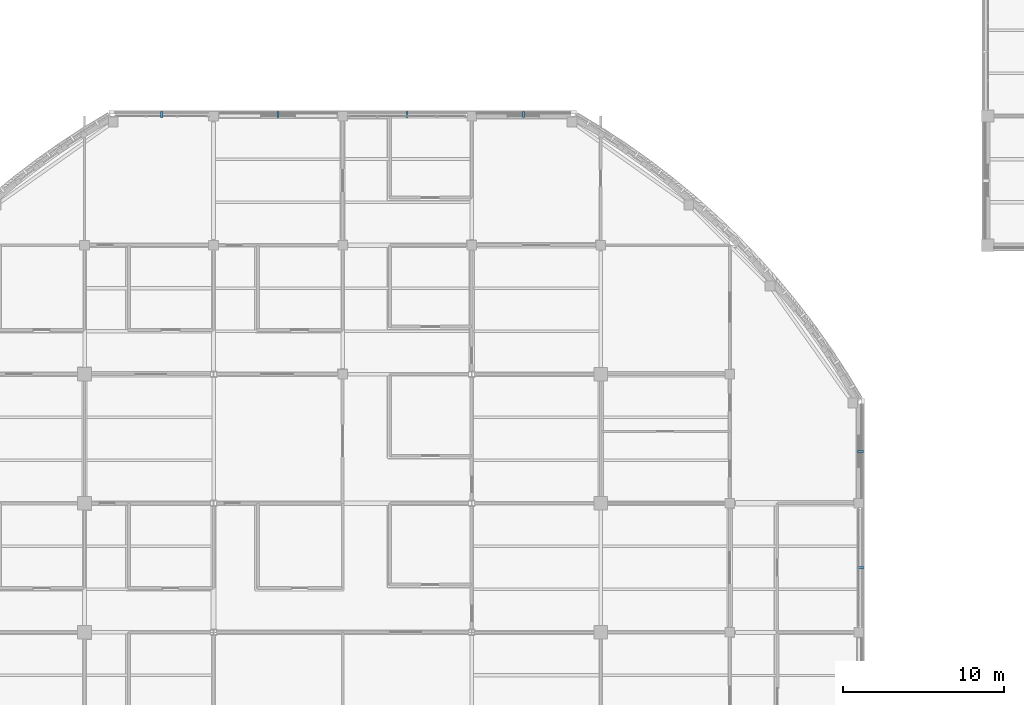
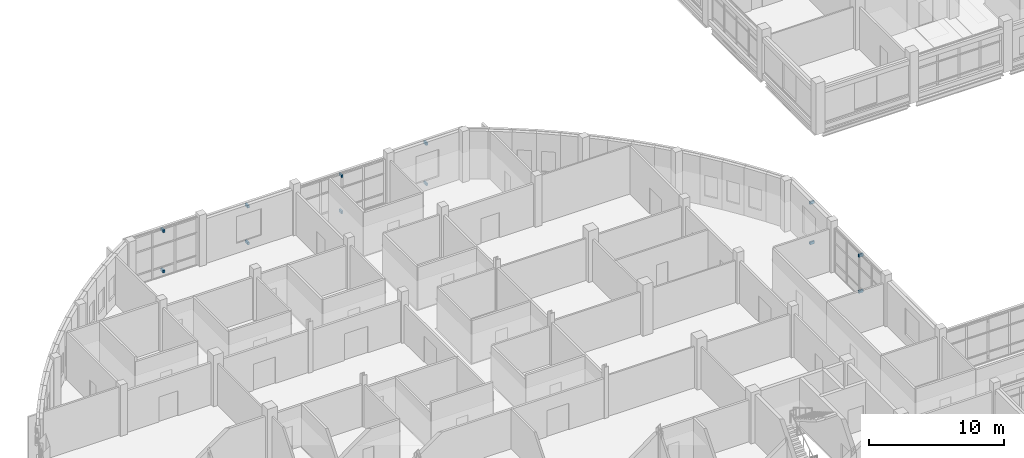
# One storey, part 104 of 121: 12 discrete accessories.
"""IFC4 building model written with IfcOpenShell, lengths in metres."""

import ifcopenshell
import ifcopenshell.guid

model = None  # the IFC model being written
_history = None  # IfcOwnerHistory: only IFC2X3 demands one
_inside = {}  # id of a spatial element -> (the spatial element, [elements in it])
_under = {}  # id of a project, library or spatial element -> (it, [spatial elements below it])
_declared = {}  # id of a project -> (the project, [libraries it declares])
_typed = {}  # id of a type object -> (the type object, [elements of that type])
_made_of = {}  # id of a material, layer set ... -> (it, [elements and type objects made of it])


def new_model(schema):
    """Start an empty IFC model of exactly this schema.

    Asked for "IFC4X3", IfcOpenShell would pick the latest addendum, in which some entities
    have other attributes; the version numbers below select the first issue.
    IFC2X3 requires an IfcOwnerHistory on every rooted entity: one is made here for all.
    """
    global model, _history
    if schema == "IFC4X3":
        model = ifcopenshell.file(schema_version=(4, 3, 0, 0))
    else:
        model = ifcopenshell.file(schema=schema)
    _inside.clear()
    _under.clear()
    _declared.clear()
    _typed.clear()
    _made_of.clear()
    _history = None
    if model.schema == "IFC2X3":
        org = make("IfcOrganization", Name="unknown")
        user = make(
            "IfcPersonAndOrganization",
            ThePerson=make("IfcPerson", FamilyName="unknown"),
            TheOrganization=org,
        )
        app = make(
            "IfcApplication",
            ApplicationDeveloper=org,
            Version="unknown",
            ApplicationFullName="unknown",
            ApplicationIdentifier="unknown",
        )
        _history = make(
            "IfcOwnerHistory",
            OwningUser=user,
            OwningApplication=app,
            ChangeAction="ADDED",
            CreationDate=0,
        )
    return model


def make(cls, **values):
    """One entity of the class cls with the attributes given. An attribute that is None is left unset."""
    return model.create_entity(
        cls, **{name: value for name, value in values.items() if value is not None}
    )


def rooted(cls, **values):
    """An entity with a GlobalId (a new one), such as an element, a storey or a relation."""
    return make(cls, GlobalId=ifcopenshell.guid.new(), OwnerHistory=_history, **values)


def si_unit(unit_type, name, prefix=None):
    """IfcSIUnit, for example si_unit("LENGTHUNIT", "METRE", prefix="MILLI")."""
    return make("IfcSIUnit", UnitType=unit_type, Prefix=prefix, Name=name)


def derived_unit(unit_type, elements):
    """IfcDerivedUnit: a product of units, each with its exponent."""
    return make(
        "IfcDerivedUnit",
        Elements=[
            make("IfcDerivedUnitElement", Unit=unit, Exponent=power)
            for unit, power in elements
        ],
        UnitType=unit_type,
    )


def assignment(units):
    """IfcUnitAssignment: the units of a project."""
    return None if units is None else make("IfcUnitAssignment", Units=units)


def point(xyz):
    """IfcCartesianPoint."""
    return None if xyz is None else make("IfcCartesianPoint", Coordinates=xyz)


def direction(xyz):
    """IfcDirection."""
    return None if xyz is None else make("IfcDirection", DirectionRatios=xyz)


def frame(location, z_axis=None, x_axis=None):
    """IfcAxis2Placement3D, a coordinate frame: its origin and axes. An axis left out is left unset."""
    return make(
        "IfcAxis2Placement3D",
        Location=point(location),
        Axis=direction(z_axis),
        RefDirection=direction(x_axis),
    )


def frame_2d(location, x_axis=None):
    """IfcAxis2Placement2D, a coordinate frame in the plane: its origin and x axis."""
    return make(
        "IfcAxis2Placement2D", Location=point(location), RefDirection=direction(x_axis)
    )


def origin():
    """The frame at (0, 0, 0) with its axes left unset."""
    return frame((0.0, 0.0, 0.0))


def origin_2d():
    """The frame at (0, 0) in the plane with its x axis left unset."""
    return frame_2d((0.0, 0.0))


def place(relative_to, where):
    """IfcLocalPlacement: puts the frame where relative to a parent placement (None: the world)."""
    return make(
        "IfcLocalPlacement", PlacementRelTo=relative_to, RelativePlacement=where
    )


def context(
    kind, dimensions, precision=None, world=None, true_north=None, identifier=None
):
    """IfcGeometricRepresentationContext, for example the 3D "Model" context."""
    return make(
        "IfcGeometricRepresentationContext",
        ContextIdentifier=identifier,
        ContextType=kind,
        CoordinateSpaceDimension=dimensions,
        Precision=precision,
        WorldCoordinateSystem=world,
        TrueNorth=true_north,
    )


def subcontext(parent, identifier, kind, view, scale=None):
    """IfcGeometricRepresentationSubContext, for example "Body" below "Model"."""
    return make(
        "IfcGeometricRepresentationSubContext",
        ContextIdentifier=identifier,
        ContextType=kind,
        ParentContext=parent,
        TargetScale=scale,
        TargetView=view,
    )


def project(units=None, contexts=None):
    """IfcProject with its units and contexts."""
    return rooted(
        "IfcProject",
        Name="project",
        RepresentationContexts=contexts,
        UnitsInContext=assignment(units),
    )


def spatial(cls, under=None, at=None, **own):
    """A site, building, storey or space (cls), placed at a placement, below another one or the project."""
    s = rooted(cls, ObjectPlacement=at, **own)
    if under is not None:
        _under.setdefault(under.id(), (under, []))[1].append(s)
    return s


def profile(cls, at=None, kind="AREA", **sizes):
    """A parametric profile (cls). Its sizes go by their IFC names, for example OverallWidth=200.0."""
    return make(cls, ProfileType=kind, Position=at, **sizes)


def rectangle(**sizes):
    """IfcRectangleProfileDef."""
    return profile("IfcRectangleProfileDef", **sizes)


def extrude(swept, where, along, depth):
    """IfcExtrudedAreaSolid: the profile swept, set in the frame where, extruded along a direction by depth."""
    return make(
        "IfcExtrudedAreaSolid",
        SweptArea=swept,
        Position=where,
        ExtrudedDirection=direction(along),
        Depth=depth,
    )


def shape(context_of_items, identifier, shape_type, items):
    """IfcShapeRepresentation: the items that make up one representation, for example the "Body"."""
    return make(
        "IfcShapeRepresentation",
        ContextOfItems=context_of_items,
        RepresentationIdentifier=identifier,
        RepresentationType=shape_type,
        Items=items,
    )


def material(Name=None, Category=None):
    """IfcMaterial."""
    return make("IfcMaterial", Name=Name, Category=Category)


def made_of(thing, what):
    """Note that an element or type object is made of a material, layer set ...; save() writes the relation."""
    if what is not None:
        _made_of.setdefault(what.id(), (what, []))[1].append(thing)
    return thing


def type_object(cls, material=None, **own):
    """A type object (cls), such as IfcWallType, which elements share."""
    return made_of(rooted(cls, **own), material)


def element(
    cls,
    number,
    at=None,
    inside=None,
    cuts=None,
    type_object=None,
    material=None,
    context=None,
    identifier="Body",
    shape_type=None,
    held_by="IfcProductDefinitionShape",
    body=None,
    shapes=None,
    **own,
):
    """One element of the class cls, such as IfcWall. Its Tag is "e" and its number.

    at: its placement. inside: the storey or other place that contains it. cuts: it is an
    opening in that element (IfcRelVoidsElement). A single representation is given by context,
    identifier, shape_type and body (its items); several are given by shapes. held_by: the class
    of the entity that holds the representations. save() writes the other relations.
    """
    e = rooted(cls, Tag="e%d" % number, ObjectPlacement=at, **own)
    if body is not None:
        shapes = [shape(context, identifier, shape_type, body)]
    if shapes is not None:
        e.Representation = make(held_by, Representations=shapes)
    if inside is not None:
        _inside.setdefault(inside.id(), (inside, []))[1].append(e)
    if cuts is not None:
        rooted(
            "IfcRelVoidsElement", RelatingBuildingElement=cuts, RelatedOpeningElement=e
        )
    if type_object is not None:
        _typed.setdefault(type_object.id(), (type_object, []))[1].append(e)
    return made_of(e, material)


def aggregate(whole, parts):
    """IfcRelAggregates: a whole, such as a stair, and the parts it consists of."""
    return rooted("IfcRelAggregates", RelatingObject=whole, RelatedObjects=parts)


def save(model, path):
    """Write the relations noted so far, then the file.

    IfcRelAggregates (storeys below a building ...), IfcRelContainedInSpatialStructure (elements
    in a storey), IfcRelDefinesByType, IfcRelAssociatesMaterial and IfcRelDeclares: one each for
    every whole, place, type object, material and project.
    """
    for whole, parts in _under.values():
        aggregate(whole, parts)
    for where, things in _inside.values():
        rooted(
            "IfcRelContainedInSpatialStructure",
            RelatedElements=things,
            RelatingStructure=where,
        )
    for kind, things in _typed.values():
        rooted("IfcRelDefinesByType", RelatedObjects=things, RelatingType=kind)
    for what, things in _made_of.values():
        rooted("IfcRelAssociatesMaterial", RelatedObjects=things, RelatingMaterial=what)
    for by, libraries in _declared.values():
        rooted("IfcRelDeclares", RelatingContext=by, RelatedDefinitions=libraries)
    model.write(path)


model = new_model("IFC4")

# Units and contexts
model_context = context("Model", 3, precision=1e-05, world=origin(), true_north=direction((0.0, 1.0)))
body_context = subcontext(model_context, "Body", "Model", "MODEL_VIEW")
ifc_project = project(units=[si_unit("LENGTHUNIT", "METRE"), si_unit("AREAUNIT", "SQUARE_METRE"), si_unit("VOLUMEUNIT", "CUBIC_METRE"), si_unit("PLANEANGLEUNIT", "RADIAN"), si_unit("MASSUNIT", "GRAM", prefix="KILO"), derived_unit("THERMALTRANSMITTANCEUNIT", [(si_unit("MASSUNIT", "GRAM", prefix="KILO"), 1), (si_unit("TIMEUNIT", "SECOND"), -3), (si_unit("THERMODYNAMICTEMPERATUREUNIT", "KELVIN"), -1)])], contexts=[model_context])

# Site, building, storey
site_placement = place(None, origin())
site = spatial("IfcSite", under=ifc_project, at=site_placement, CompositionType="ELEMENT")
building_placement = place(site_placement, origin())
building = spatial("IfcBuilding", under=site, at=building_placement, Name="Veyamyaing Civic Hall", CompositionType="ELEMENT")
storey_placement = place(building_placement, frame((0.0, 0.0, 5.280029296875)))
storey = spatial("IfcBuildingStorey", under=building, at=storey_placement, Name="L01", CompositionType="ELEMENT", Elevation=5.280029296875)

# Discrete accessories
ifc_material = material(Name="Steel S355J2", Category="steel")
discrete_accessory_type = type_object("IfcDiscreteAccessoryType", Name="BK-01", PredefinedType="BRACKET", material=ifc_material)
for number, where, z_axis, x_axis, name in (
    (1, (76.78466796875, 96.10009765625, 3.9951171875), (0.0, 0.0, 1.0), (0.0, 1.0, 0.0), "Sunshade anchor bracket BK-01 L01 N 10.12"),
    (2, (76.78466796875, 96.10009765625, 0.35986328125), (0.0, 0.0, 1.0), (0.0, 1.0, 0.0), "Lower ribbon anchor bracket BK-01 L01 N 10.12"),
    (3, (84.0, 96.10009765625, 3.68212890625), (0.0, 0.0, 1.0), (0.0, 1.0, 0.0), "Sunshade anchor bracket BK-01 L01 N 11.12"),
    (4, (84.0, 96.10009765625, 0.35986328125), (0.0, 0.0, 1.0), (0.0, 1.0, 0.0), "Lower ribbon anchor bracket BK-01 L01 N 11.12"),
    (5, (92.0, 96.10009765625, 3.61474609375), (0.0, 0.0, 1.0), (0.0, 1.0, 0.0), "Sunshade anchor bracket BK-01 L01 N 12.12"),
    (6, (92.0, 96.10009765625, 0.35986328125), (0.0, 0.0, 1.0), (0.0, 1.0, 0.0), "Lower ribbon anchor bracket BK-01 L01 N 12.12"),
    (7, (99.21533203125, 96.10009765625, 3.9951171875), (0.0, 0.0, 1.0), (0.0, 1.0, 0.0), "Sunshade anchor bracket BK-01 L01 N 13.12"),
    (8, (99.21533203125, 96.10009765625, 0.35986328125), (0.0, 0.0, 1.0), (0.0, 1.0, 0.0), "Lower ribbon anchor bracket BK-01 L01 N 13.12"),
    (9, (120.10009765625, 68.0, 3.61474609375), (0.0, 0.0, 1.0), (1.0, 0.0, 0.0), "Sunshade anchor bracket BK-01 L01 E 15.9"),
    (10, (120.10009765625, 68.0, 0.35986328125), (0.0, 0.0, 1.0), (1.0, 0.0, 0.0), "Lower ribbon anchor bracket BK-01 L01 E 15.9"),
    (11, (120.10009765625, 75.21533203125, 3.9951171875), (0.0, 0.0, 1.0), (1.0, 0.0, 0.0), "Sunshade anchor bracket BK-01 L01 E 15.10"),
    (12, (120.10009765625, 75.21533203125, 0.35986328125), (0.0, 0.0, 1.0), (1.0, 0.0, 0.0), "Lower ribbon anchor bracket BK-01 L01 E 15.10"),
):
    element("IfcDiscreteAccessory", number, at=place(storey_placement, frame(where, z_axis=z_axis, x_axis=x_axis)), inside=storey, type_object=discrete_accessory_type, Name=name, PredefinedType="BRACKET", context=body_context, shape_type="SweptSolid", body=[
        extrude(rectangle(XDim=0.3798828125, YDim=0.139892578125, at=origin_2d()), origin(), (0.0, 0.0, 1.0), 0.239990234375),
    ])

save(model, "model.ifc")
